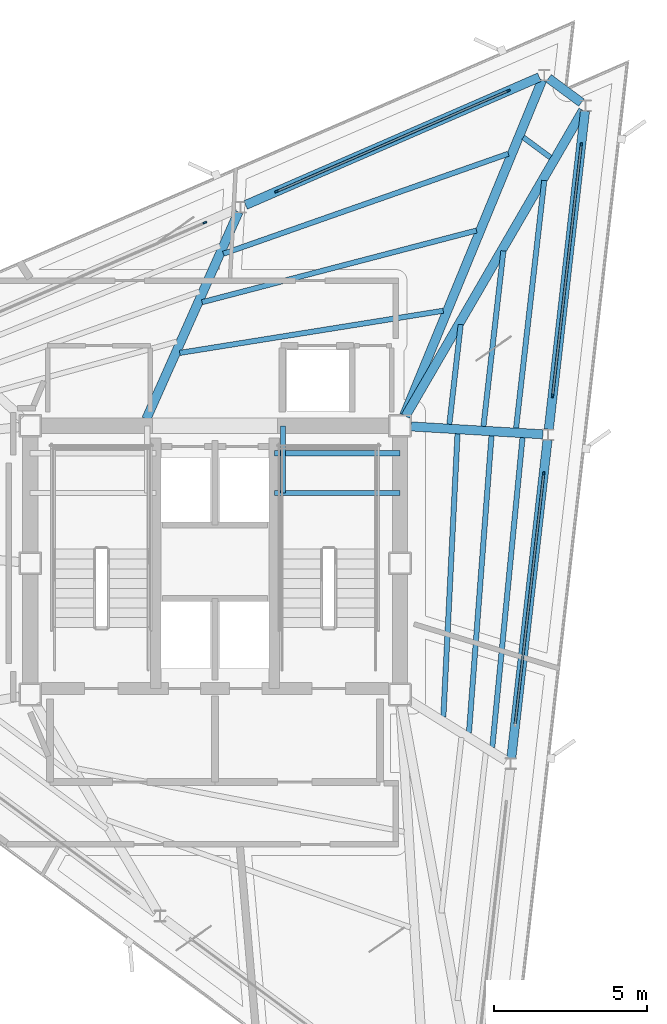
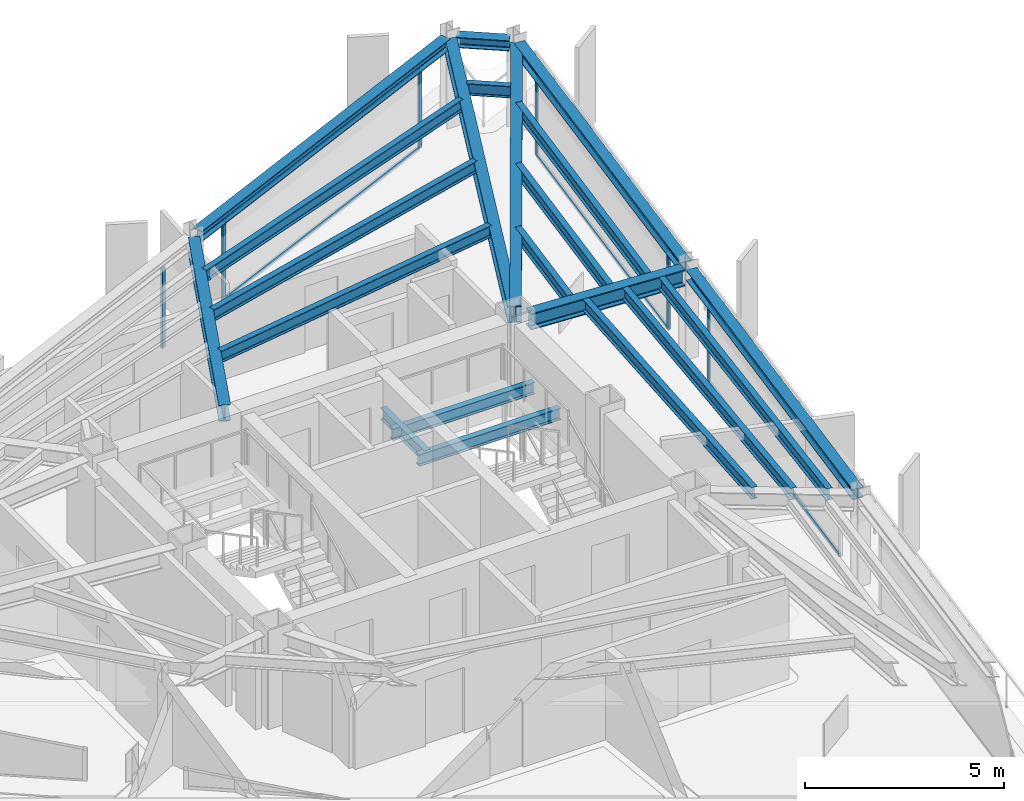
# One storey, part 4 of 10: 21 beams, 12 members, 4 elements without a shape of their own.
"""IFC4 building model written with IfcOpenShell, lengths in metres."""

from ifc_helpers import new_model, si_unit, direction, frame, origin, origin_2d, place, context, subcontext, project, spatial, rectangle, i_section, extrude, material, layer, layer_set, material_profile, profile_set, type_object, element, aggregate, save


model = new_model("IFC4")

# Units and contexts
model_context = context("Model", 3, precision=1e-05, world=origin(), true_north=direction((0.0, 1.0)))
body_context = subcontext(model_context, "Body", "Model", "MODEL_VIEW")
ifc_project = project(units=[si_unit("LENGTHUNIT", "METRE"), si_unit("AREAUNIT", "SQUARE_METRE"), si_unit("VOLUMEUNIT", "CUBIC_METRE"), si_unit("PLANEANGLEUNIT", "RADIAN"), si_unit("MASSUNIT", "GRAM", prefix="KILO")], contexts=[model_context])

# Site, building, storey
site_placement = place(None, origin())
site = spatial("IfcSite", under=ifc_project, at=site_placement, CompositionType="ELEMENT")
building_placement = place(site_placement, origin())
building = spatial("IfcBuilding", under=site, at=building_placement, Name="Rocaltana Carrier Exchange", CompositionType="ELEMENT")
storey_placement = place(building_placement, frame((0.0, 0.0, 230.080078125)))
storey = spatial("IfcBuildingStorey", under=building, at=storey_placement, Name="L73", CompositionType="ELEMENT", Elevation=230.080078125)

# Curtain wall, member
ifc_material_1 = material(Name="Aluminium 6063-T6", Category="aluminium")
ifc_layer = layer(ifc_material_1, 0.1201171875)
ifc_layer_set = layer_set([ifc_layer], Name="Aluminium 6063-T6")
curtain_wall_type = type_object("IfcCurtainWallType", Name="High-Altitude Thermal Curtain Wall CW-05", PredefinedType="NOTDEFINED", material=ifc_layer_set)
curtain_wall_1_placement = place(storey_placement, origin())
curtain_wall_1 = element("IfcCurtainWall", 1, at=curtain_wall_1_placement, inside=storey, type_object=curtain_wall_type, Name="L73 CW-05 Run CW-L73-F1S2", PredefinedType="NOTDEFINED")
ifc_material_2 = material(Name="Aluminium 6063-T6", Category="aluminium")
ifc_material_profile_1 = material_profile(ifc_material_2, rectangle(XDim=0.06005859375, YDim=0.1201171875, at=origin_2d()), Name="AL-60X120")
ifc_profile_set_1 = profile_set([ifc_material_profile_1], Name="Aluminium 6063-T6")
member_type_1 = type_object("IfcMemberType", Name="CW-05 Mullion AL-60X120", PredefinedType="MULLION", material=ifc_profile_set_1)
member_1_placement = place(storey_placement, frame((10.756591796875, 2.93798828125, 0.0), z_axis=(0.0, 0.0, 1.0), x_axis=(-0.993571216652, 0.113208822277, 0.0)))
member_1 = element("IfcMember", 2, at=member_1_placement, type_object=member_type_1, Name="CW-05 mullion 2", PredefinedType="MULLION", context=body_context, shape_type="SweptSolid", body=[
    extrude(rectangle(XDim=0.06005859375, YDim=0.1201171875, at=origin_2d()), origin(), (0.0, 0.0, 1.0), 2.447998046875),
])

# Curtain wall, members
curtain_wall_2_placement = place(storey_placement, origin())
curtain_wall_2 = element("IfcCurtainWall", 3, at=curtain_wall_2_placement, inside=storey, type_object=curtain_wall_type, Name="L73 CW-05 Run CW-L73-F1S3", PredefinedType="NOTDEFINED")
member_2_placement = place(storey_placement, frame((11.04638671875, 5.4814453125, 0.0), z_axis=(0.0, 0.0, 1.0), x_axis=(-0.993572566365, 0.113196975964, 0.0)))
member_2 = element("IfcMember", 4, at=member_2_placement, type_object=member_type_1, Name="CW-05 mullion 1", PredefinedType="MULLION", context=body_context, shape_type="SweptSolid", body=[
    extrude(rectangle(XDim=0.06005859375, YDim=0.1201171875, at=origin_2d()), origin(), (0.0, 0.0, 1.0), 2.447998046875),
])
member_3_placement = place(storey_placement, frame((11.98291015625, 13.70166015625, 0.0), z_axis=(0.0, 0.0, 1.0), x_axis=(-0.993572566365, 0.113196975964, 0.0)))
member_3 = element("IfcMember", 5, at=member_3_placement, type_object=member_type_1, Name="CW-05 mullion 2", PredefinedType="MULLION", context=body_context, shape_type="SweptSolid", body=[
    extrude(rectangle(XDim=0.06005859375, YDim=0.1201171875, at=origin_2d()), origin(), (0.0, 0.0, 1.0), 2.447998046875),
])

curtain_wall_3_placement = place(storey_placement, origin())
curtain_wall_3 = element("IfcCurtainWall", 6, at=curtain_wall_3_placement, inside=storey, type_object=curtain_wall_type, Name="L73 CW-05 Run CW-L73-F2S1", PredefinedType="NOTDEFINED")
member_4_placement = place(storey_placement, frame((9.599609375, 15.46533203125, 0.0), z_axis=(0.0, 0.0, 1.0), x_axis=(0.39875682637, -0.917056701313, 0.0)))
member_4 = element("IfcMember", 7, at=member_4_placement, type_object=member_type_1, Name="CW-05 mullion 1", PredefinedType="MULLION", context=body_context, shape_type="SweptSolid", body=[
    extrude(rectangle(XDim=0.06005859375, YDim=0.1201171875, at=origin_2d()), origin(), (0.0, 0.0, 1.0), 2.447998046875),
])
member_5_placement = place(storey_placement, frame((2.01220703125, 12.166259765625, 0.0), z_axis=(0.0, 0.0, 1.0), x_axis=(0.39875682637, -0.917056701313, 0.0)))
member_5 = element("IfcMember", 8, at=member_5_placement, type_object=member_type_1, Name="CW-05 mullion 2", PredefinedType="MULLION", context=body_context, shape_type="SweptSolid", body=[
    extrude(rectangle(XDim=0.06005859375, YDim=0.1201171875, at=origin_2d()), origin(), (0.0, 0.0, 1.0), 2.447998046875),
])

# Curtain wall, member
curtain_wall_4_placement = place(storey_placement, origin())
curtain_wall_4 = element("IfcCurtainWall", 9, at=curtain_wall_4_placement, inside=storey, type_object=curtain_wall_type, Name="L73 CW-05 Run CW-L73-F2S2", PredefinedType="NOTDEFINED")
member_6_placement = place(storey_placement, frame((-0.335205078125, 11.1455078125, 0.0), z_axis=(0.0, 0.0, 1.0), x_axis=(0.398752438254, -0.917058609352, 0.0)))
member_6 = element("IfcMember", 10, at=member_6_placement, type_object=member_type_1, Name="CW-05 mullion 1", PredefinedType="MULLION", context=body_context, shape_type="SweptSolid", body=[
    extrude(rectangle(XDim=0.06005859375, YDim=0.1201171875, at=origin_2d()), origin(), (0.0, 0.0, 1.0), 2.447998046875),
])
aggregate(curtain_wall_4, [member_6])

# Member
ifc_material_3 = material(Name="Aluminium 6063-T6", Category="aluminium")
ifc_material_profile_2 = material_profile(ifc_material_3, rectangle(XDim=0.06005859375, YDim=0.1201171875, at=origin_2d()), Name="AL-60X120")
ifc_profile_set_2 = profile_set([ifc_material_profile_2], Name="Aluminium 6063-T6")
member_type_2 = type_object("IfcMemberType", Name="CW-05 Transom AL-60X120", PredefinedType="USERDEFINED", material=ifc_profile_set_2)
member_7_placement = place(storey_placement, frame((9.8232421875, -5.25244140625, 0.030029296875), z_axis=(0.113220478228, 0.993569888488, 0.0), x_axis=(-0.993569888488, 0.113220478228, 0.0)))
member_7 = element("IfcMember", 11, at=member_7_placement, type_object=member_type_2, Name="CW-05 transom 1.1", ObjectType="TRANSOM", PredefinedType="USERDEFINED", context=body_context, shape_type="SweptSolid", body=[
    extrude(rectangle(XDim=0.06005859375, YDim=0.1201171875, at=origin_2d()), origin(), (0.0, 0.0, 1.0), 8.21337890625),
])

member_8_placement = place(storey_placement, frame((9.8232421875, -5.25244140625, 2.41796875), z_axis=(0.113220478228, 0.993569888488, 0.0), x_axis=(-0.993569888488, 0.113220478228, 0.0)))
member_8 = element("IfcMember", 12, at=member_8_placement, type_object=member_type_2, Name="CW-05 transom 1.2", ObjectType="TRANSOM", PredefinedType="USERDEFINED", context=body_context, shape_type="SweptSolid", body=[
    extrude(rectangle(XDim=0.06005859375, YDim=0.1201171875, at=origin_2d()), origin(), (0.0, 0.0, 1.0), 8.21337890625),
])

aggregate(curtain_wall_1, [member_1, member_7, member_8])

member_9_placement = place(storey_placement, frame((11.0498046875, 5.51123046875, 0.030029296875), z_axis=(0.113191134651, 0.993573231844, 0.0), x_axis=(-0.993573231844, 0.113191134651, 0.0)))
member_9 = element("IfcMember", 13, at=member_9_placement, type_object=member_type_2, Name="CW-05 transom 1.1", ObjectType="TRANSOM", PredefinedType="USERDEFINED", context=body_context, shape_type="SweptSolid", body=[
    extrude(rectangle(XDim=0.06005859375, YDim=0.1201171875, at=origin_2d()), origin(), (0.0, 0.0, 1.0), 8.21337890625),
])

member_10_placement = place(storey_placement, frame((11.0498046875, 5.51123046875, 2.41796875), z_axis=(0.113191134651, 0.993573231844, 0.0), x_axis=(-0.993573231844, 0.113191134651, 0.0)))
member_10 = element("IfcMember", 14, at=member_10_placement, type_object=member_type_2, Name="CW-05 transom 1.2", ObjectType="TRANSOM", PredefinedType="USERDEFINED", context=body_context, shape_type="SweptSolid", body=[
    extrude(rectangle(XDim=0.06005859375, YDim=0.1201171875, at=origin_2d()), origin(), (0.0, 0.0, 1.0), 8.21337890625),
])

aggregate(curtain_wall_2, [member_2, member_3, member_9, member_10])

member_11_placement = place(storey_placement, frame((9.572021484375, 15.453369140625, 0.030029296875), z_axis=(-0.917058241688, -0.398753283814, 0.0), x_axis=(0.398753283814, -0.917058241688, 0.0)))
member_11 = element("IfcMember", 15, at=member_11_placement, type_object=member_type_2, Name="CW-05 transom 1.1", ObjectType="TRANSOM", PredefinedType="USERDEFINED", context=body_context, shape_type="SweptSolid", body=[
    extrude(rectangle(XDim=0.06005859375, YDim=0.1201171875, at=origin_2d()), origin(), (0.0, 0.0, 1.0), 8.21337890625),
])

member_12_placement = place(storey_placement, frame((9.572021484375, 15.453369140625, 2.41796875), z_axis=(-0.917058241688, -0.398753283814, 0.0), x_axis=(0.398753283814, -0.917058241688, 0.0)))
member_12 = element("IfcMember", 16, at=member_12_placement, type_object=member_type_2, Name="CW-05 transom 1.2", ObjectType="TRANSOM", PredefinedType="USERDEFINED", context=body_context, shape_type="SweptSolid", body=[
    extrude(rectangle(XDim=0.06005859375, YDim=0.1201171875, at=origin_2d()), origin(), (0.0, 0.0, 1.0), 8.21337890625),
])

aggregate(curtain_wall_3, [member_4, member_5, member_11, member_12])

# Beams
ifc_material_4 = material(Name="Steel S355", Category="steel")
ifc_material_profile_3 = material_profile(ifc_material_4, i_section(OverallWidth=0.172119140625, OverallDepth=0.35791015625, WebThickness=0.0078125, FlangeThickness=0.01318359375, FilletRadius=0.011962890625, at=origin_2d()), Name="W14X38")
ifc_profile_set_3 = profile_set([ifc_material_profile_3], Name="Steel S355")
beam_type_1 = type_object("IfcBeamType", Name="Floor Joist W14X38", PredefinedType="JOIST", material=ifc_profile_set_3)
for number, where, z_axis, x_axis, name in (
    (17, (1.93994140625, 2.300048828125, 1.140869140625), (1.0, 0.0, 0.0), (0.0, 1.0, 0.0), "L73 ST-2 Landing Carrier 1"),
    (18, (1.93994140625, 3.60009765625, 1.140869140625), (1.0, 0.0, 0.0), (0.0, 1.0, 0.0), "L73 ST-2 Landing Carrier 2"),
):
    element("IfcBeam", number, at=place(storey_placement, frame(where, z_axis=z_axis, x_axis=x_axis)), inside=storey, type_object=beam_type_1, Name=name, PredefinedType="JOIST", context=body_context, shape_type="SweptSolid", body=[
        extrude(i_section(OverallWidth=0.172119140625, OverallDepth=0.35791015625, WebThickness=0.0078125, FlangeThickness=0.01318359375, FilletRadius=0.011962890625, at=origin_2d()), origin(), (0.0, 0.0, 1.0), 4.110107421875),
    ])
beam_1_placement = place(storey_placement, frame((2.219970703125, 2.300048828125, 1.140869140625), z_axis=(0.0, 1.0, 0.0), x_axis=(-1.0, 0.0, 0.0)))
element("IfcBeam", 19, at=beam_1_placement, inside=storey, type_object=beam_type_1, Name="L73 ST-2 Landing Cross Trimmer", PredefinedType="JOIST", context=body_context, shape_type="SweptSolid", body=[
    extrude(i_section(OverallWidth=0.172119140625, OverallDepth=0.35791015625, WebThickness=0.0078125, FlangeThickness=0.01318359375, FilletRadius=0.011962890625, at=origin_2d()), origin(), (0.0, 0.0, 1.0), 2.199951171875),
])
beam_2_placement = place(storey_placement, frame((7.470947265625, -5.03515625, 2.618896484375), z_axis=(0.049933684641, 0.998752535485, 0.0), x_axis=(-0.998752535485, 0.049933684641, 0.0)))
element("IfcBeam", 20, at=beam_2_placement, inside=storey, type_object=beam_type_1, Name="FJ-L73-02-1", PredefinedType="JOIST", context=body_context, shape_type="SweptSolid", body=[
    extrude(i_section(OverallWidth=0.172119140625, OverallDepth=0.35791015625, WebThickness=0.0078125, FlangeThickness=0.01318359375, FilletRadius=0.011962890625, at=origin_2d()), origin(), (0.0, 0.0, 1.0), 9.28955078125),
])
beam_3_placement = place(storey_placement, frame((8.308349609375, -5.553955078125, 2.618896484375), z_axis=(0.075705441131, 0.997130225288, 0.0), x_axis=(-0.997130225288, 0.075705441131, 0.0)))
element("IfcBeam", 21, at=beam_3_placement, inside=storey, type_object=beam_type_1, Name="FJ-L73-02-2", PredefinedType="JOIST", context=body_context, shape_type="SweptSolid", body=[
    extrude(i_section(OverallWidth=0.172119140625, OverallDepth=0.35791015625, WebThickness=0.0078125, FlangeThickness=0.01318359375, FilletRadius=0.011962890625, at=origin_2d()), origin(), (0.0, 0.0, 1.0), 9.758544921875),
])
beam_4_placement = place(storey_placement, frame((9.07275390625, -6.027587890625, 2.618896484375), z_axis=(0.097138741589, 0.995270850011, 0.0), x_axis=(-0.995270850011, 0.097138741589, 0.0)))
element("IfcBeam", 22, at=beam_4_placement, inside=storey, type_object=beam_type_1, Name="FJ-L73-02-3", PredefinedType="JOIST", context=body_context, shape_type="SweptSolid", body=[
    extrude(i_section(OverallWidth=0.172119140625, OverallDepth=0.35791015625, WebThickness=0.0078125, FlangeThickness=0.01318359375, FilletRadius=0.011962890625, at=origin_2d()), origin(), (0.0, 0.0, 1.0), 10.19140625),
])
beam_5_placement = place(storey_placement, frame((7.667236328125, 4.54736328125, 2.618896484375), z_axis=(0.113203016028, 0.993571878206, 0.0), x_axis=(-0.993571878206, 0.113203016028, 0.0)))
element("IfcBeam", 23, at=beam_5_placement, inside=storey, type_object=beam_type_1, Name="FJ-L73-03-1", PredefinedType="JOIST", context=body_context, shape_type="SweptSolid", body=[
    extrude(i_section(OverallWidth=0.172119140625, OverallDepth=0.35791015625, WebThickness=0.0078125, FlangeThickness=0.01318359375, FilletRadius=0.011962890625, at=origin_2d()), origin(), (0.0, 0.0, 1.0), 3.286865234375),
])
beam_6_placement = place(storey_placement, frame((8.783203125, 4.48046875, 2.618896484375), z_axis=(0.113185542157, 0.993573868943, 0.0), x_axis=(-0.993573868943, 0.113185542157, 0.0)))
element("IfcBeam", 24, at=beam_6_placement, inside=storey, type_object=beam_type_1, Name="FJ-L73-03-2", PredefinedType="JOIST", context=body_context, shape_type="SweptSolid", body=[
    extrude(i_section(OverallWidth=0.172119140625, OverallDepth=0.35791015625, WebThickness=0.0078125, FlangeThickness=0.01318359375, FilletRadius=0.011962890625, at=origin_2d()), origin(), (0.0, 0.0, 1.0), 5.778564453125),
])
beam_7_placement = place(storey_placement, frame((9.850341796875, 4.41650390625, 2.618896484375), z_axis=(0.113215051584, 0.993570506856, 0.0), x_axis=(-0.993570506856, 0.113215051584, 0.0)))
element("IfcBeam", 25, at=beam_7_placement, inside=storey, type_object=beam_type_1, Name="FJ-L73-03-3", PredefinedType="JOIST", context=body_context, shape_type="SweptSolid", body=[
    extrude(i_section(OverallWidth=0.172119140625, OverallDepth=0.35791015625, WebThickness=0.0078125, FlangeThickness=0.01318359375, FilletRadius=0.011962890625, at=origin_2d()), origin(), (0.0, 0.0, 1.0), 8.162109375),
])
beam_8_placement = place(storey_placement, frame((10.978759765625, 13.278564453125, 2.618896484375), z_axis=(-0.803783025316, 0.594922556484, 0.0), x_axis=(-0.594922556484, -0.803783025316, 0.0)))
element("IfcBeam", 26, at=beam_8_placement, inside=storey, type_object=beam_type_1, Name="FJ-L73-04-3", PredefinedType="JOIST", context=body_context, shape_type="SweptSolid", body=[
    extrude(i_section(OverallWidth=0.172119140625, OverallDepth=0.35791015625, WebThickness=0.0078125, FlangeThickness=0.01318359375, FilletRadius=0.011962890625, at=origin_2d()), origin(), (0.0, 0.0, 1.0), 1.1103515625),
])
beam_9_placement = place(storey_placement, frame((7.466552734375, 8.26416015625, 2.618896484375), z_axis=(-0.987434349957, -0.158029758352, 0.0), x_axis=(0.158029758352, -0.987434349957, 0.0)))
element("IfcBeam", 27, at=beam_9_placement, inside=storey, type_object=beam_type_1, Name="FJ-L73-05-1", PredefinedType="JOIST", context=body_context, shape_type="SweptSolid", body=[
    extrude(i_section(OverallWidth=0.172119140625, OverallDepth=0.35791015625, WebThickness=0.0078125, FlangeThickness=0.01318359375, FilletRadius=0.011962890625, at=origin_2d()), origin(), (0.0, 0.0, 1.0), 8.731689453125),
])
beam_10_placement = place(storey_placement, frame((8.5556640625, 10.889892578125, 2.618896484375), z_axis=(-0.967527830679, -0.252764508708, 0.0), x_axis=(0.252764508708, -0.967527830679, 0.0)))
element("IfcBeam", 28, at=beam_10_placement, inside=storey, type_object=beam_type_1, Name="FJ-L73-05-2", PredefinedType="JOIST", context=body_context, shape_type="SweptSolid", body=[
    extrude(i_section(OverallWidth=0.172119140625, OverallDepth=0.35791015625, WebThickness=0.0078125, FlangeThickness=0.01318359375, FilletRadius=0.011962890625, at=origin_2d()), origin(), (0.0, 0.0, 1.0), 9.2822265625),
])
beam_11_placement = place(storey_placement, frame((9.598388671875, 13.4033203125, 2.618896484375), z_axis=(-0.943534028817, -0.331275620087, 0.0), x_axis=(0.331275620087, -0.943534028817, 0.0)))
element("IfcBeam", 29, at=beam_11_placement, inside=storey, type_object=beam_type_1, Name="FJ-L73-05-3", PredefinedType="JOIST", context=body_context, shape_type="SweptSolid", body=[
    extrude(i_section(OverallWidth=0.172119140625, OverallDepth=0.35791015625, WebThickness=0.0078125, FlangeThickness=0.01318359375, FilletRadius=0.011962890625, at=origin_2d()), origin(), (0.0, 0.0, 1.0), 9.883544921875),
])
ifc_material_5 = material(Name="Steel S355", Category="steel")
ifc_material_profile_4 = material_profile(ifc_material_5, i_section(OverallWidth=0.300048828125, OverallDepth=0.320068359375, WebThickness=0.011474609375, FlangeThickness=0.0205078125, FilletRadius=0.027099609375, at=origin_2d()), Name="HEB320")
ifc_profile_set_4 = profile_set([ifc_material_profile_4], Name="Steel S355")
beam_type_2 = type_object("IfcBeamType", Name="Spandrel Edge Beam HEB320", PredefinedType="SPANDREL", material=ifc_profile_set_4)
for number, where, z_axis, x_axis, name in (
    (30, (9.694580078125, -6.381103515625, 2.637939453125), (0.113206425365, 0.993571489756, 0.0), (-0.993571489756, 0.113206425365, 0.0), "SP-L73-02"),
    (31, (10.921142578125, 4.382568359375, 2.637939453125), (0.113183439753, 0.993574108442, 0.0), (-0.993574108442, 0.113183439753, 0.0), "SP-L73-03"),
):
    element("IfcBeam", number, at=place(storey_placement, frame(where, z_axis=z_axis, x_axis=x_axis)), inside=storey, type_object=beam_type_2, Name=name, PredefinedType="SPANDREL", context=body_context, shape_type="SweptSolid", body=[
        extrude(i_section(OverallWidth=0.300048828125, OverallDepth=0.320068359375, WebThickness=0.011474609375, FlangeThickness=0.0205078125, FilletRadius=0.027099609375, at=origin_2d()), origin(), (0.0, 0.0, 1.0), 10.4853515625),
    ])
beam_12_placement = place(storey_placement, frame((11.98779296875, 15.076904296875, 2.637939453125), z_axis=(-0.80388381105, 0.594786363605, 0.0), x_axis=(-0.594786363605, -0.80388381105, 0.0)))
element("IfcBeam", 32, at=beam_12_placement, inside=storey, type_object=beam_type_2, Name="SP-L73-04", PredefinedType="SPANDREL", context=body_context, shape_type="SweptSolid", body=[
    extrude(i_section(OverallWidth=0.300048828125, OverallDepth=0.320068359375, WebThickness=0.011474609375, FlangeThickness=0.0205078125, FilletRadius=0.027099609375, at=origin_2d()), origin(), (0.0, 0.0, 1.0), 1.3369140625),
])
beam_13_placement = place(storey_placement, frame((10.61376953125, 15.90625, 2.637939453125), z_axis=(-0.917055989154, -0.398758464182, 0.0), x_axis=(0.398758464182, -0.917055989154, 0.0)))
element("IfcBeam", 33, at=beam_13_placement, inside=storey, type_object=beam_type_2, Name="SP-L73-05", PredefinedType="SPANDREL", context=body_context, shape_type="SweptSolid", body=[
    extrude(i_section(OverallWidth=0.300048828125, OverallDepth=0.320068359375, WebThickness=0.011474609375, FlangeThickness=0.0205078125, FilletRadius=0.027099609375, at=origin_2d()), origin(), (0.0, 0.0, 1.0), 10.4853515625),
])
ifc_material_6 = material(Name="Steel S355", Category="steel")
ifc_material_profile_5 = material_profile(ifc_material_6, i_section(OverallWidth=0.300048828125, OverallDepth=0.5, WebThickness=0.014404296875, FlangeThickness=0.028076171875, FilletRadius=0.027099609375, at=origin_2d()), Name="HEB500")
ifc_profile_set_5 = profile_set([ifc_material_profile_5], Name="Steel S355")
beam_type_3 = type_object("IfcBeamType", Name="Upper Radial Girder HEB500", PredefinedType="BEAM", material=ifc_profile_set_5)
beam_14_placement = place(storey_placement, frame((6.416259765625, 4.47802734375, 2.5478515625), z_axis=(0.998216990301, -0.059689532376, 0.0), x_axis=(0.059689532376, 0.998216990301, 0.0)))
element("IfcBeam", 34, at=beam_14_placement, inside=storey, type_object=beam_type_3, Name="RG-L73-03", PredefinedType="BEAM", context=body_context, shape_type="SweptSolid", body=[
    extrude(i_section(OverallWidth=0.300048828125, OverallDepth=0.5, WebThickness=0.014404296875, FlangeThickness=0.028076171875, FilletRadius=0.027099609375, at=origin_2d()), origin(), (0.0, 0.0, 1.0), 4.3193359375),
])
beam_15_placement = place(storey_placement, frame((6.234130859375, 4.8173828125, 2.5478515625), z_axis=(0.501905371074, 0.86492253901, 0.0), x_axis=(-0.86492253901, 0.501905371074, 0.0)))
element("IfcBeam", 35, at=beam_15_placement, inside=storey, type_object=beam_type_3, Name="RG-L73-04", PredefinedType="BEAM", context=body_context, shape_type="SweptSolid", body=[
    extrude(i_section(OverallWidth=0.300048828125, OverallDepth=0.5, WebThickness=0.014404296875, FlangeThickness=0.028076171875, FilletRadius=0.027099609375, at=origin_2d()), origin(), (0.0, 0.0, 1.0), 11.568115234375),
])
beam_16_placement = place(storey_placement, frame((6.189697265625, 4.83935546875, 2.5478515625), z_axis=(0.380611164855, 0.924735173543, 0.0), x_axis=(-0.924735173543, 0.380611164855, 0.0)))
element("IfcBeam", 36, at=beam_16_placement, inside=storey, type_object=beam_type_3, Name="RG-L73-05", PredefinedType="BEAM", context=body_context, shape_type="SweptSolid", body=[
    extrude(i_section(OverallWidth=0.300048828125, OverallDepth=0.5, WebThickness=0.014404296875, FlangeThickness=0.028076171875, FilletRadius=0.027099609375, at=origin_2d()), origin(), (0.0, 0.0, 1.0), 11.86865234375),
])
beam_17_placement = place(storey_placement, frame((-2.25146484375, 4.720947265625, 2.5478515625), z_axis=(0.406987211438, 0.91343385624, 0.0), x_axis=(-0.91343385624, 0.406987211438, 0.0)))
element("IfcBeam", 37, at=beam_17_placement, inside=storey, type_object=beam_type_3, Name="RG-L73-06", PredefinedType="BEAM", context=body_context, shape_type="SweptSolid", body=[
    extrude(i_section(OverallWidth=0.300048828125, OverallDepth=0.5, WebThickness=0.014404296875, FlangeThickness=0.028076171875, FilletRadius=0.027099609375, at=origin_2d()), origin(), (0.0, 0.0, 1.0), 7.41796875),
])

save(model, "model.ifc")
